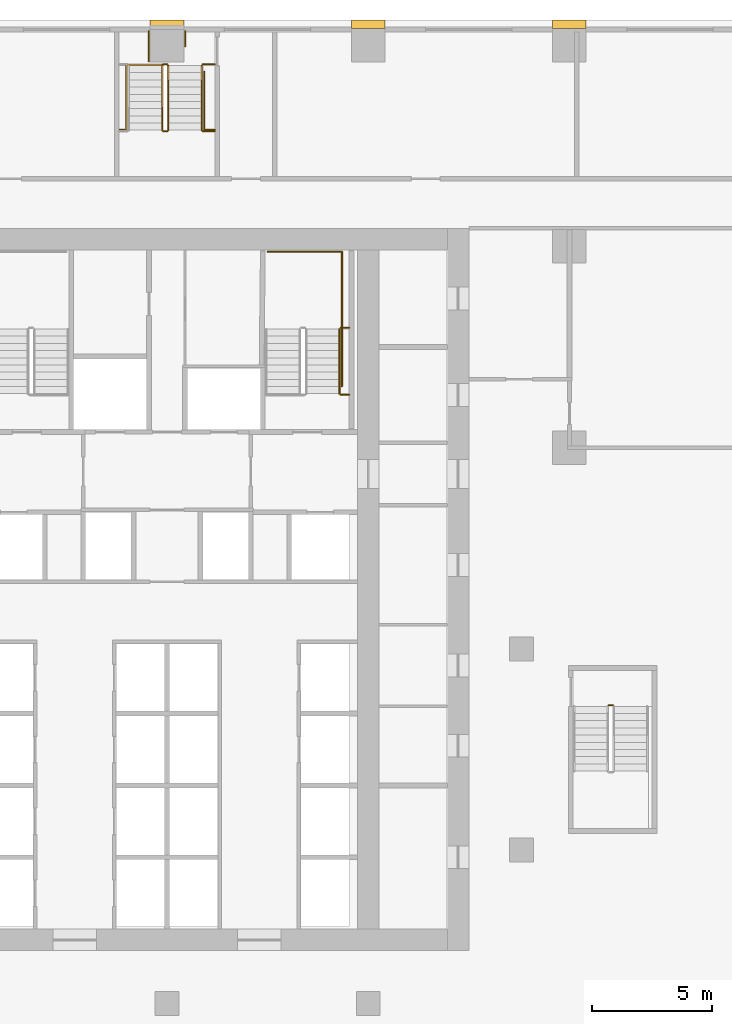
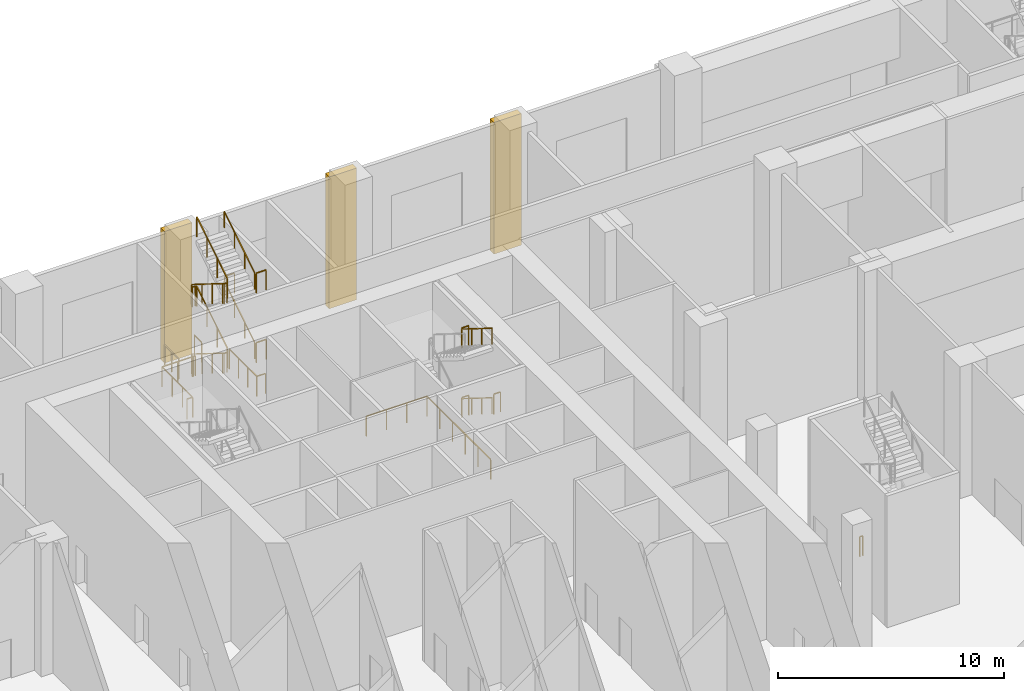
# One storey, part 24 of 29: 21 railings, 3 coverings.
"""IFC4 building model written with IfcOpenShell, lengths in metres."""

from ifc_helpers import new_model, si_unit, direction, frame, origin, origin_2d, place, context, subcontext, project, spatial, polyline, rectangle, outline, extrude, material, type_object, element, save


model = new_model("IFC4")

# Units and contexts
model_context = context("Model", 3, precision=1e-05, world=origin(), true_north=direction((0.0, 1.0)))
body_context = subcontext(model_context, "Body", "Model", "MODEL_VIEW")
ifc_project = project(units=[si_unit("LENGTHUNIT", "METRE"), si_unit("AREAUNIT", "SQUARE_METRE"), si_unit("VOLUMEUNIT", "CUBIC_METRE"), si_unit("PLANEANGLEUNIT", "RADIAN"), si_unit("MASSUNIT", "GRAM", prefix="KILO")], contexts=[model_context])

# Site, building, storey
site_placement = place(None, origin())
site = spatial("IfcSite", under=ifc_project, at=site_placement, CompositionType="ELEMENT")
building_placement = place(site_placement, origin())
building = spatial("IfcBuilding", under=site, at=building_placement, Name="Vermilion Ogive Tower", CompositionType="ELEMENT")
storey_placement = place(building_placement, frame((0.0, 0.0, 12.5)))
storey = spatial("IfcBuildingStorey", under=building, at=storey_placement, Name="L02", CompositionType="ELEMENT", Elevation=12.5)

# Railings
ifc_material_1 = material(Name="Steel S355 painted", Category="steel")
railing_type_1 = type_object("IfcRailingType", Name="Stair guard 1100", PredefinedType="GUARDRAIL", material=ifc_material_1)
railing_1_placement = place(storey_placement, frame((18.449951171875, 1.85009765625, 0.0)))
element("IfcRailing", 1, at=railing_1_placement, inside=storey, type_object=railing_type_1, Name="L02 ST8 stair guard 8", PredefinedType="GUARDRAIL", context=body_context, shape_type="SweptSolid", body=[
    extrude(rectangle(XDim=0.048095703125, YDim=0.048095703125, at=origin_2d()), frame((0.0, 0.0, 1.076171875), z_axis=(1.0, 0.0, 0.0), x_axis=(0.0, 1.0, 0.0)), (0.0, 0.0, 1.0), 0.150146484375),
    extrude(rectangle(XDim=0.0419921875, YDim=0.0419921875, at=origin_2d()), origin(), (0.0, 0.0, 1.0), 1.052001953125),
    extrude(rectangle(XDim=0.0419921875, YDim=0.0419921875, at=origin_2d()), frame((0.150146484375, 0.0, 0.0)), (0.0, 0.0, 1.0), 1.052001953125),
])
railing_2_placement = place(storey_placement, frame((-0.199951171875, 28.550048828125, 0.1875)))
element("IfcRailing", 2, at=railing_2_placement, inside=storey, type_object=railing_type_1, Name="L02 PS5 stair guard 1", PredefinedType="GUARDRAIL", context=body_context, shape_type="SweptSolid", body=[
    extrude(rectangle(XDim=0.048095703125, YDim=0.048095703125, at=origin_2d()), frame((0.0, 0.0, 1.076171875), z_axis=(0.0, -0.847993996163, 0.530005832488), x_axis=(1.0, 0.0, 0.0)), (0.0, 0.0, 1.0), 3.183837890625),
    extrude(rectangle(XDim=0.048095703125, YDim=0.048095703125, at=origin_2d()), frame((0.0, -2.699951171875, 2.763671875), z_axis=(0.707106781187, -0.707106781187, 0.0), x_axis=(0.707106781187, 0.707106781187, 0.0)), (0.0, 0.0, 1.0), 0.07080078125),
    extrude(rectangle(XDim=0.048095703125, YDim=0.048095703125, at=origin_2d()), frame((0.050048828125, -2.75, 2.763671875), z_axis=(1.0, 0.0, 0.0), x_axis=(0.0, 1.0, 0.0)), (0.0, 0.0, 1.0), 0.14990234375),
    extrude(rectangle(XDim=0.0419921875, YDim=0.0419921875, at=origin_2d()), origin(), (0.0, 0.0, 1.0), 1.052001953125),
    extrude(rectangle(XDim=0.0419921875, YDim=0.0419921875, at=origin_2d()), frame((0.0, -0.89990234375, 0.5625)), (0.0, 0.0, 1.0), 1.052001953125),
    extrude(rectangle(XDim=0.0419921875, YDim=0.0419921875, at=origin_2d()), frame((0.0, -1.800048828125, 1.125)), (0.0, 0.0, 1.0), 1.052001953125),
    extrude(rectangle(XDim=0.0419921875, YDim=0.0419921875, at=origin_2d()), frame((0.0, -2.699951171875, 1.6875)), (0.0, 0.0, 1.0), 1.052001953125),
    extrude(rectangle(XDim=0.0419921875, YDim=0.0419921875, at=origin_2d()), frame((0.050048828125, -2.75, 1.6875)), (0.0, 0.0, 1.0), 1.052001953125),
    extrude(rectangle(XDim=0.0419921875, YDim=0.0419921875, at=origin_2d()), frame((0.199951171875, -2.75, 1.6875)), (0.0, 0.0, 1.0), 1.052001953125),
])
railing_3_placement = place(storey_placement, frame((0.050048828125, 25.85009765625, 2.0625)))
element("IfcRailing", 3, at=railing_3_placement, inside=storey, type_object=railing_type_1, Name="L02 PS5 stair guard 3", PredefinedType="GUARDRAIL", context=body_context, shape_type="SweptSolid", body=[
    extrude(rectangle(XDim=0.048095703125, YDim=0.048095703125, at=origin_2d()), frame((0.0, 0.0, 1.076171875), z_axis=(0.0, 0.847993996163, 0.530005832488), x_axis=(-1.0, 0.0, 0.0)), (0.0, 0.0, 1.0), 3.183837890625),
    extrude(rectangle(XDim=0.048095703125, YDim=0.048095703125, at=origin_2d()), frame((0.0, 2.699951171875, 2.763671875), z_axis=(-0.707106781187, 0.707106781187, 0.0), x_axis=(-0.707106781187, -0.707106781187, 0.0)), (0.0, 0.0, 1.0), 0.07080078125),
    extrude(rectangle(XDim=0.048095703125, YDim=0.048095703125, at=origin_2d()), frame((-0.050048828125, 2.75, 2.763671875), z_axis=(-1.0, 0.0, 0.0), x_axis=(0.0, -1.0, 0.0)), (0.0, 0.0, 1.0), 0.14990234375),
    extrude(rectangle(XDim=0.0419921875, YDim=0.0419921875, at=origin_2d()), origin(), (0.0, 0.0, 1.0), 1.052001953125),
    extrude(rectangle(XDim=0.0419921875, YDim=0.0419921875, at=origin_2d()), frame((0.0, 0.89990234375, 0.5625)), (0.0, 0.0, 1.0), 1.052001953125),
    extrude(rectangle(XDim=0.0419921875, YDim=0.0419921875, at=origin_2d()), frame((0.0, 1.800048828125, 1.125)), (0.0, 0.0, 1.0), 1.052001953125),
    extrude(rectangle(XDim=0.0419921875, YDim=0.0419921875, at=origin_2d()), frame((0.0, 2.699951171875, 1.6875)), (0.0, 0.0, 1.0), 1.052001953125),
    extrude(rectangle(XDim=0.0419921875, YDim=0.0419921875, at=origin_2d()), frame((-0.050048828125, 2.75, 1.6875)), (0.0, 0.0, 1.0), 1.052001953125),
    extrude(rectangle(XDim=0.0419921875, YDim=0.0419921875, at=origin_2d()), frame((-0.199951171875, 2.75, 1.6875)), (0.0, 0.0, 1.0), 1.052001953125),
])
railing_4_placement = place(storey_placement, frame((-0.199951171875, 28.550048828125, 3.9375)))
element("IfcRailing", 4, at=railing_4_placement, inside=storey, type_object=railing_type_1, Name="L02 PS5 stair guard 5", PredefinedType="GUARDRAIL", context=body_context, shape_type="SweptSolid", body=[
    extrude(rectangle(XDim=0.048095703125, YDim=0.048095703125, at=origin_2d()), frame((0.0, 0.0, 1.076171875), z_axis=(0.0, -0.847993996163, 0.530005832488), x_axis=(1.0, 0.0, 0.0)), (0.0, 0.0, 1.0), 3.183837890625),
    extrude(rectangle(XDim=0.048095703125, YDim=0.048095703125, at=origin_2d()), frame((0.0, -2.699951171875, 2.763671875), z_axis=(0.707106781187, -0.707106781187, 0.0), x_axis=(0.707106781187, 0.707106781187, 0.0)), (0.0, 0.0, 1.0), 0.07080078125),
    extrude(rectangle(XDim=0.048095703125, YDim=0.048095703125, at=origin_2d()), frame((0.050048828125, -2.75, 2.763671875), z_axis=(1.0, 0.0, 0.0), x_axis=(0.0, 1.0, 0.0)), (0.0, 0.0, 1.0), 0.14990234375),
    extrude(rectangle(XDim=0.0419921875, YDim=0.0419921875, at=origin_2d()), origin(), (0.0, 0.0, 1.0), 1.052001953125),
    extrude(rectangle(XDim=0.0419921875, YDim=0.0419921875, at=origin_2d()), frame((0.0, -0.89990234375, 0.5625)), (0.0, 0.0, 1.0), 1.052001953125),
    extrude(rectangle(XDim=0.0419921875, YDim=0.0419921875, at=origin_2d()), frame((0.0, -1.800048828125, 1.125)), (0.0, 0.0, 1.0), 1.052001953125),
    extrude(rectangle(XDim=0.0419921875, YDim=0.0419921875, at=origin_2d()), frame((0.0, -2.699951171875, 1.6875)), (0.0, 0.0, 1.0), 1.052001953125),
    extrude(rectangle(XDim=0.0419921875, YDim=0.0419921875, at=origin_2d()), frame((0.050048828125, -2.75, 1.6875)), (0.0, 0.0, 1.0), 1.052001953125),
    extrude(rectangle(XDim=0.0419921875, YDim=0.0419921875, at=origin_2d()), frame((0.199951171875, -2.75, 1.6875)), (0.0, 0.0, 1.0), 1.052001953125),
])
railing_5_placement = place(storey_placement, frame((0.050048828125, 25.85009765625, 5.8125)))
element("IfcRailing", 5, at=railing_5_placement, inside=storey, type_object=railing_type_1, Name="L02 PS5 stair guard 7", PredefinedType="GUARDRAIL", context=body_context, shape_type="SweptSolid", body=[
    extrude(rectangle(XDim=0.048095703125, YDim=0.048095703125, at=origin_2d()), frame((0.0, 0.0, 1.076171875), z_axis=(0.0, 0.847993996163, 0.530005832488), x_axis=(-1.0, 0.0, 0.0)), (0.0, 0.0, 1.0), 3.183837890625),
    extrude(rectangle(XDim=0.0419921875, YDim=0.0419921875, at=origin_2d()), origin(), (0.0, 0.0, 1.0), 1.052001953125),
    extrude(rectangle(XDim=0.0419921875, YDim=0.0419921875, at=origin_2d()), frame((0.0, 0.89990234375, 0.5625)), (0.0, 0.0, 1.0), 1.052001953125),
    extrude(rectangle(XDim=0.0419921875, YDim=0.0419921875, at=origin_2d()), frame((0.0, 1.800048828125, 1.125)), (0.0, 0.0, 1.0), 1.052001953125),
    extrude(rectangle(XDim=0.0419921875, YDim=0.0419921875, at=origin_2d()), frame((0.0, 2.699951171875, 1.6875)), (0.0, 0.0, 1.0), 1.052001953125),
])
railing_6_placement = place(storey_placement, frame((-0.14990234375, 28.60009765625, 0.0)))
element("IfcRailing", 6, at=railing_6_placement, inside=storey, type_object=railing_type_1, Name="L02 PS5 stair guard 8", PredefinedType="GUARDRAIL", context=body_context, shape_type="SweptSolid", body=[
    extrude(rectangle(XDim=0.048095703125, YDim=0.048095703125, at=origin_2d()), frame((0.0, 0.0, 1.076171875), z_axis=(1.0, 0.0, 0.0), x_axis=(0.0, 1.0, 0.0)), (0.0, 0.0, 1.0), 0.14990234375),
    extrude(rectangle(XDim=0.0419921875, YDim=0.0419921875, at=origin_2d()), origin(), (0.0, 0.0, 1.0), 1.052001953125),
    extrude(rectangle(XDim=0.0419921875, YDim=0.0419921875, at=origin_2d()), frame((0.14990234375, 0.0, 0.0)), (0.0, 0.0, 1.0), 1.052001953125),
])
for number, where, name in (
    (7, (7.25, 17.60009765625, 1.875), "L02 landing guard"),
    (8, (7.25, 14.800048828125, 3.75), "L02 landing guard"),
    (9, (7.25, 17.60009765625, 5.625), "L02 landing guard"),
):
    element("IfcRailing", number, at=place(storey_placement, frame(where)), inside=storey, type_object=railing_type_1, Name=name, PredefinedType="GUARDRAIL", context=body_context, shape_type="SweptSolid", body=[
        extrude(rectangle(XDim=0.048095703125, YDim=0.048095703125, at=origin_2d()), frame((0.0, 0.0, 1.076171875), z_axis=(1.0, 0.0, 0.0), x_axis=(0.0, 1.0, 0.0)), (0.0, 0.0, 1.0), 0.35009765625),
        extrude(rectangle(XDim=0.0419921875, YDim=0.0419921875, at=origin_2d()), origin(), (0.0, 0.0, 1.0), 1.052001953125),
        extrude(rectangle(XDim=0.0419921875, YDim=0.0419921875, at=origin_2d()), frame((0.35009765625, 0.0, 0.0)), (0.0, 0.0, 1.0), 1.052001953125),
    ])
for number, where, name in (
    (10, (1.5, 25.800048828125, 1.875), "L02 landing guard"),
    (11, (1.5, 28.60009765625, 3.75), "L02 landing guard"),
    (12, (1.5, 25.800048828125, 5.625), "L02 landing guard"),
):
    element("IfcRailing", number, at=place(storey_placement, frame(where)), inside=storey, type_object=railing_type_1, Name=name, PredefinedType="GUARDRAIL", context=body_context, shape_type="SweptSolid", body=[
        extrude(rectangle(XDim=0.048095703125, YDim=0.048095703125, at=origin_2d()), frame((0.0, 0.0, 1.076171875), z_axis=(1.0, 0.0, 0.0), x_axis=(0.0, 1.0, 0.0)), (0.0, 0.0, 1.0), 0.5),
        extrude(rectangle(XDim=0.0419921875, YDim=0.0419921875, at=origin_2d()), origin(), (0.0, 0.0, 1.0), 1.052001953125),
        extrude(rectangle(XDim=0.0419921875, YDim=0.0419921875, at=origin_2d()), frame((0.5, 0.0, 0.0)), (0.0, 0.0, 1.0), 1.052001953125),
    ])
railing_7_placement = place(storey_placement, frame((7.302490234375, 15.154541015625, 0.0)))
element("IfcRailing", 13, at=railing_7_placement, inside=storey, type_object=railing_type_1, Name="L02 stair opening guard", PredefinedType="GUARDRAIL", context=body_context, shape_type="SweptSolid", body=[
    extrude(rectangle(XDim=0.048095703125, YDim=0.048095703125, at=origin_2d()), frame((0.0, 0.0, 1.076171875), z_axis=(0.0, 1.0, 0.0), x_axis=(-1.0, 0.0, 0.0)), (0.0, 0.0, 1.0), 5.624267578125),
    extrude(rectangle(XDim=0.048095703125, YDim=0.048095703125, at=origin_2d()), frame((0.0, 5.624267578125, 1.076171875), z_axis=(-1.0, 0.0, 0.0), x_axis=(0.0, -1.0, 0.0)), (0.0, 0.0, 1.0), 3.09033203125),
    extrude(rectangle(XDim=0.0419921875, YDim=0.0419921875, at=origin_2d()), origin(), (0.0, 0.0, 1.0), 1.052001953125),
    extrude(rectangle(XDim=0.0419921875, YDim=0.0419921875, at=origin_2d()), frame((0.0, 1.124755859375, 0.0)), (0.0, 0.0, 1.0), 1.052001953125),
    extrude(rectangle(XDim=0.0419921875, YDim=0.0419921875, at=origin_2d()), frame((0.0, 2.249755859375, 0.0)), (0.0, 0.0, 1.0), 1.052001953125),
    extrude(rectangle(XDim=0.0419921875, YDim=0.0419921875, at=origin_2d()), frame((0.0, 3.37451171875, 0.0)), (0.0, 0.0, 1.0), 1.052001953125),
    extrude(rectangle(XDim=0.0419921875, YDim=0.0419921875, at=origin_2d()), frame((0.0, 4.49951171875, 0.0)), (0.0, 0.0, 1.0), 1.052001953125),
    extrude(rectangle(XDim=0.0419921875, YDim=0.0419921875, at=origin_2d()), frame((0.0, 5.624267578125, 0.0)), (0.0, 0.0, 1.0), 1.052001953125),
    extrude(rectangle(XDim=0.0419921875, YDim=0.0419921875, at=origin_2d()), frame((-1.030029296875, 5.624267578125, 0.0)), (0.0, 0.0, 1.0), 1.052001953125),
    extrude(rectangle(XDim=0.0419921875, YDim=0.0419921875, at=origin_2d()), frame((-2.060302734375, 5.624267578125, 0.0)), (0.0, 0.0, 1.0), 1.052001953125),
    extrude(rectangle(XDim=0.0419921875, YDim=0.0419921875, at=origin_2d()), frame((-3.09033203125, 5.624267578125, 0.0)), (0.0, 0.0, 1.0), 1.052001953125),
])
railing_8_placement = place(storey_placement, frame((-1.9892578125, 25.884521484375, 0.0)))
element("IfcRailing", 14, at=railing_8_placement, inside=storey, type_object=railing_type_1, Name="L02 stair opening guard", PredefinedType="GUARDRAIL", context=body_context, shape_type="SweptSolid", body=[
    extrude(rectangle(XDim=0.048095703125, YDim=0.048095703125, at=origin_2d()), frame((0.0, 0.0, 1.076171875), z_axis=(1.0, 0.0, 0.0), x_axis=(0.0, 1.0, 0.0)), (0.0, 0.0, 1.0), 0.2900390625),
    extrude(rectangle(XDim=0.048095703125, YDim=0.048095703125, at=origin_2d()), frame((0.2900390625, 0.0, 1.076171875), z_axis=(0.0, 1.0, 0.0), x_axis=(-1.0, 0.0, 0.0)), (0.0, 0.0, 1.0), 2.699951171875),
    extrude(rectangle(XDim=0.048095703125, YDim=0.048095703125, at=origin_2d()), frame((0.2900390625, 2.699951171875, 1.076171875), z_axis=(1.0, 0.0, 0.0), x_axis=(0.0, 1.0, 0.0)), (0.0, 0.0, 1.0), 1.60009765625),
    extrude(rectangle(XDim=0.0419921875, YDim=0.0419921875, at=origin_2d()), origin(), (0.0, 0.0, 1.0), 1.052001953125),
    extrude(rectangle(XDim=0.0419921875, YDim=0.0419921875, at=origin_2d()), frame((0.2900390625, 0.0, 0.0)), (0.0, 0.0, 1.0), 1.052001953125),
    extrude(rectangle(XDim=0.0419921875, YDim=0.0419921875, at=origin_2d()), frame((0.2900390625, 0.89990234375, 0.0)), (0.0, 0.0, 1.0), 1.052001953125),
    extrude(rectangle(XDim=0.0419921875, YDim=0.0419921875, at=origin_2d()), frame((0.2900390625, 1.800048828125, 0.0)), (0.0, 0.0, 1.0), 1.052001953125),
    extrude(rectangle(XDim=0.0419921875, YDim=0.0419921875, at=origin_2d()), frame((0.2900390625, 2.699951171875, 0.0)), (0.0, 0.0, 1.0), 1.052001953125),
    extrude(rectangle(XDim=0.0419921875, YDim=0.0419921875, at=origin_2d()), frame((1.090087890625, 2.699951171875, 0.0)), (0.0, 0.0, 1.0), 1.052001953125),
    extrude(rectangle(XDim=0.0419921875, YDim=0.0419921875, at=origin_2d()), frame((1.89013671875, 2.699951171875, 0.0)), (0.0, 0.0, 1.0), 1.052001953125),
])
railing_9_placement = place(storey_placement, frame((1.55908203125, 28.284912109375, 0.0)))
element("IfcRailing", 15, at=railing_9_placement, inside=storey, type_object=railing_type_1, Name="L02 stair opening guard", PredefinedType="GUARDRAIL", context=body_context, shape_type="SweptSolid", body=[
    extrude(rectangle(XDim=0.048095703125, YDim=0.048095703125, at=origin_2d()), frame((0.0, 0.0, 1.076171875), z_axis=(0.0, -1.0, 0.0), x_axis=(1.0, 0.0, 0.0)), (0.0, 0.0, 1.0), 2.42431640625),
    extrude(rectangle(XDim=0.048095703125, YDim=0.048095703125, at=origin_2d()), frame((0.0, -2.42431640625, 1.076171875), z_axis=(1.0, 0.0, 0.0), x_axis=(0.0, 1.0, 0.0)), (0.0, 0.0, 1.0), 0.43994140625),
    extrude(rectangle(XDim=0.0419921875, YDim=0.0419921875, at=origin_2d()), origin(), (0.0, 0.0, 1.0), 1.052001953125),
    extrude(rectangle(XDim=0.0419921875, YDim=0.0419921875, at=origin_2d()), frame((0.0, -0.80810546875, 0.0)), (0.0, 0.0, 1.0), 1.052001953125),
    extrude(rectangle(XDim=0.0419921875, YDim=0.0419921875, at=origin_2d()), frame((0.0, -1.6162109375, 0.0)), (0.0, 0.0, 1.0), 1.052001953125),
    extrude(rectangle(XDim=0.0419921875, YDim=0.0419921875, at=origin_2d()), frame((0.0, -2.42431640625, 0.0)), (0.0, 0.0, 1.0), 1.052001953125),
    extrude(rectangle(XDim=0.0419921875, YDim=0.0419921875, at=origin_2d()), frame((0.43994140625, -2.42431640625, 0.0)), (0.0, 0.0, 1.0), 1.052001953125),
])
railing_10_placement = place(storey_placement, frame((0.760009765625, 29.347412109375, 0.0)))
element("IfcRailing", 16, at=railing_10_placement, inside=storey, type_object=railing_type_1, Name="L02 stair opening guard", PredefinedType="GUARDRAIL", context=body_context, shape_type="SweptSolid", body=[
    extrude(rectangle(XDim=0.048095703125, YDim=0.048095703125, at=origin_2d()), frame((0.0, 0.0, 1.076171875), z_axis=(0.0, 1.0, 0.0), x_axis=(-1.0, 0.0, 0.0)), (0.0, 0.0, 1.0), 0.642578125),
    extrude(rectangle(XDim=0.0419921875, YDim=0.0419921875, at=origin_2d()), origin(), (0.0, 0.0, 1.0), 1.052001953125),
    extrude(rectangle(XDim=0.0419921875, YDim=0.0419921875, at=origin_2d()), frame((0.0, 0.642578125, 0.0)), (0.0, 0.0, 1.0), 1.052001953125),
])
railing_11_placement = place(storey_placement, frame((-0.760009765625, 29.989990234375, 0.0)))
element("IfcRailing", 17, at=railing_11_placement, inside=storey, type_object=railing_type_1, Name="L02 stair opening guard", PredefinedType="GUARDRAIL", context=body_context, shape_type="SweptSolid", body=[
    extrude(rectangle(XDim=0.048095703125, YDim=0.048095703125, at=origin_2d()), frame((0.0, 0.0, 1.076171875), z_axis=(0.0, -1.0, 0.0), x_axis=(1.0, 0.0, 0.0)), (0.0, 0.0, 1.0), 1.25537109375),
    extrude(rectangle(XDim=0.0419921875, YDim=0.0419921875, at=origin_2d()), origin(), (0.0, 0.0, 1.0), 1.052001953125),
    extrude(rectangle(XDim=0.0419921875, YDim=0.0419921875, at=origin_2d()), frame((0.0, -0.627685546875, 0.0)), (0.0, 0.0, 1.0), 1.052001953125),
    extrude(rectangle(XDim=0.0419921875, YDim=0.0419921875, at=origin_2d()), frame((0.0, -1.25537109375, 0.0)), (0.0, 0.0, 1.0), 1.052001953125),
])
ifc_material_2 = material(Name="Stainless steel", Category="steel")
railing_type_2 = type_object("IfcRailingType", Name="Stair handrail 900", PredefinedType="HANDRAIL", material=ifc_material_2)
for number, where, name in (
    (18, (7.199951171875, 17.550048828125, 2.0625), "L02 ST2 stair handrail 2"),
    (19, (7.199951171875, 17.550048828125, 5.8125), "L02 ST2 stair handrail 4"),
):
    element("IfcRailing", number, at=place(storey_placement, frame(where)), inside=storey, type_object=railing_type_2, Name=name, PredefinedType="HANDRAIL", context=body_context, shape_type="SweptSolid", body=[
        extrude(rectangle(XDim=0.048095703125, YDim=0.048095703125, at=origin_2d()), frame((0.0, 0.0, 0.8759765625), z_axis=(0.0, -0.847993996163, 0.530005832488), x_axis=(1.0, 0.0, 0.0)), (0.0, 0.0, 1.0), 3.183837890625),
        extrude(rectangle(XDim=0.0419921875, YDim=0.0419921875, at=origin_2d()), origin(), (0.0, 0.0, 1.0), 0.851806640625),
        extrude(rectangle(XDim=0.0419921875, YDim=0.0419921875, at=origin_2d()), frame((0.0, -0.89990234375, 0.5625)), (0.0, 0.0, 1.0), 0.851806640625),
        extrude(rectangle(XDim=0.0419921875, YDim=0.0419921875, at=origin_2d()), frame((0.0, -1.800048828125, 1.125)), (0.0, 0.0, 1.0), 0.851806640625),
        extrude(rectangle(XDim=0.0419921875, YDim=0.0419921875, at=origin_2d()), frame((0.0, -2.699951171875, 1.6875)), (0.0, 0.0, 1.0), 0.851806640625),
    ])
for number, where, name in (
    (20, (1.449951171875, 25.85009765625, 2.0625), "L02 PS5 stair handrail 2"),
    (21, (1.449951171875, 25.85009765625, 5.8125), "L02 PS5 stair handrail 4"),
):
    element("IfcRailing", number, at=place(storey_placement, frame(where)), inside=storey, type_object=railing_type_2, Name=name, PredefinedType="HANDRAIL", context=body_context, shape_type="SweptSolid", body=[
        extrude(rectangle(XDim=0.048095703125, YDim=0.048095703125, at=origin_2d()), frame((0.0, 0.0, 0.8759765625), z_axis=(0.0, 0.847993996163, 0.530005832488), x_axis=(-1.0, 0.0, 0.0)), (0.0, 0.0, 1.0), 3.183837890625),
        extrude(rectangle(XDim=0.0419921875, YDim=0.0419921875, at=origin_2d()), origin(), (0.0, 0.0, 1.0), 0.851806640625),
        extrude(rectangle(XDim=0.0419921875, YDim=0.0419921875, at=origin_2d()), frame((0.0, 0.89990234375, 0.5625)), (0.0, 0.0, 1.0), 0.851806640625),
        extrude(rectangle(XDim=0.0419921875, YDim=0.0419921875, at=origin_2d()), frame((0.0, 1.800048828125, 1.125)), (0.0, 0.0, 1.0), 0.851806640625),
        extrude(rectangle(XDim=0.0419921875, YDim=0.0419921875, at=origin_2d()), frame((0.0, 2.699951171875, 1.6875)), (0.0, 0.0, 1.0), 0.851806640625),
    ])

# Coverings
ifc_material_3 = material(Name="Stone cladding", Category="masonry")
covering_type = type_object("IfcCoveringType", Name="Stone pier", PredefinedType="CLADDING", material=ifc_material_3)
covering_1_placement = place(storey_placement, origin())
element("IfcCovering", 22, at=covering_1_placement, inside=storey, type_object=covering_type, Name="Stone pier P+000+294", PredefinedType="CLADDING", context=body_context, shape_type="SweptSolid", body=[
    extrude(outline(polyline([(-0.699951171875, 30.10009765625), (-0.699951171875, 30.10009765625), (-0.699951171875, 30.449951171875), (0.699951171875, 30.449951171875), (0.699951171875, 30.10009765625), (0.699951171875, 30.10009765625), (-0.699951171875, 30.10009765625)])), origin(), (0.0, 0.0, 1.0), 7.10009765625),
])
covering_2_placement = place(storey_placement, origin())
element("IfcCovering", 23, at=covering_2_placement, inside=storey, type_object=covering_type, Name="Stone pier P+084+294", PredefinedType="CLADDING", context=body_context, shape_type="SweptSolid", body=[
    extrude(outline(polyline([(7.699951171875, 30.10009765625), (7.699951171875, 30.10009765625), (7.699951171875, 30.449951171875), (9.10009765625, 30.449951171875), (9.10009765625, 30.10009765625), (9.10009765625, 30.10009765625), (7.699951171875, 30.10009765625)])), origin(), (0.0, 0.0, 1.0), 7.10009765625),
])
covering_3_placement = place(storey_placement, origin())
element("IfcCovering", 24, at=covering_3_placement, inside=storey, type_object=covering_type, Name="Stone pier P+168+294", PredefinedType="CLADDING", context=body_context, shape_type="SweptSolid", body=[
    extrude(outline(polyline([(16.10009765625, 30.10009765625), (16.10009765625, 30.449951171875), (17.5, 30.449951171875), (17.5, 30.10009765625), (17.5, 30.10009765625), (16.10009765625, 30.10009765625)])), origin(), (0.0, 0.0, 1.0), 7.10009765625),
])

save(model, "model.ifc")
